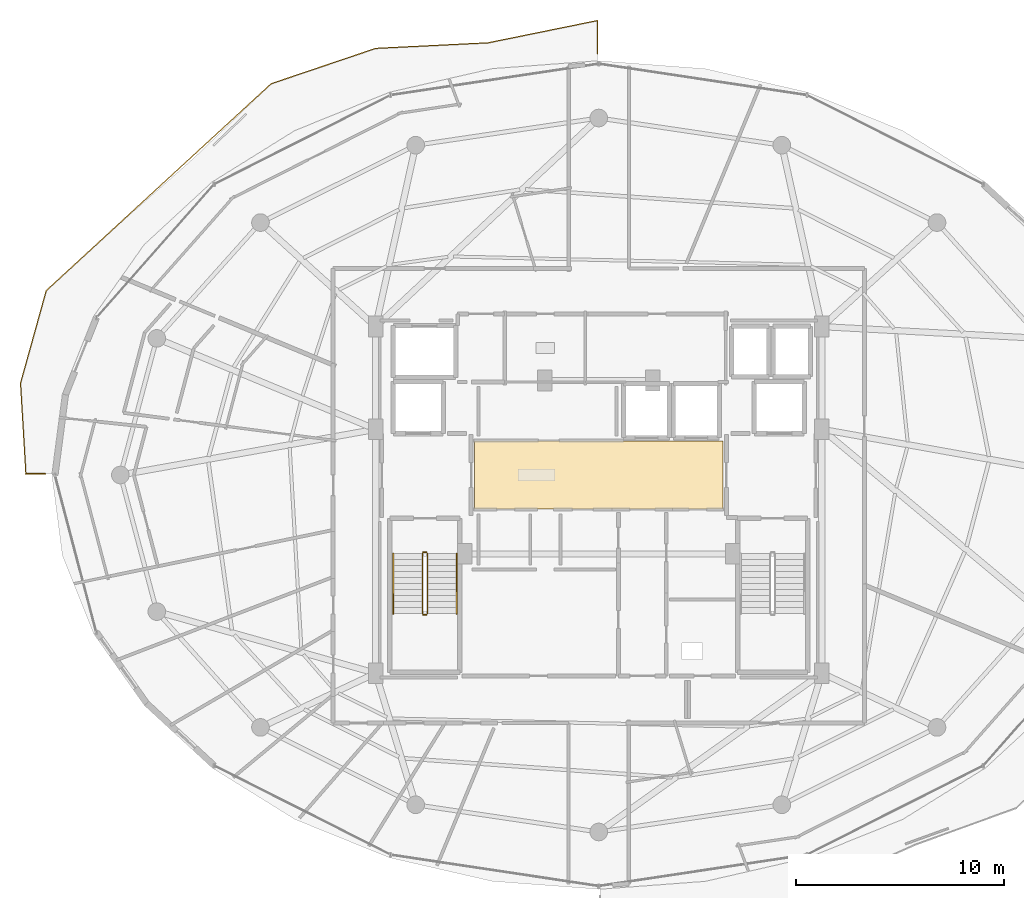
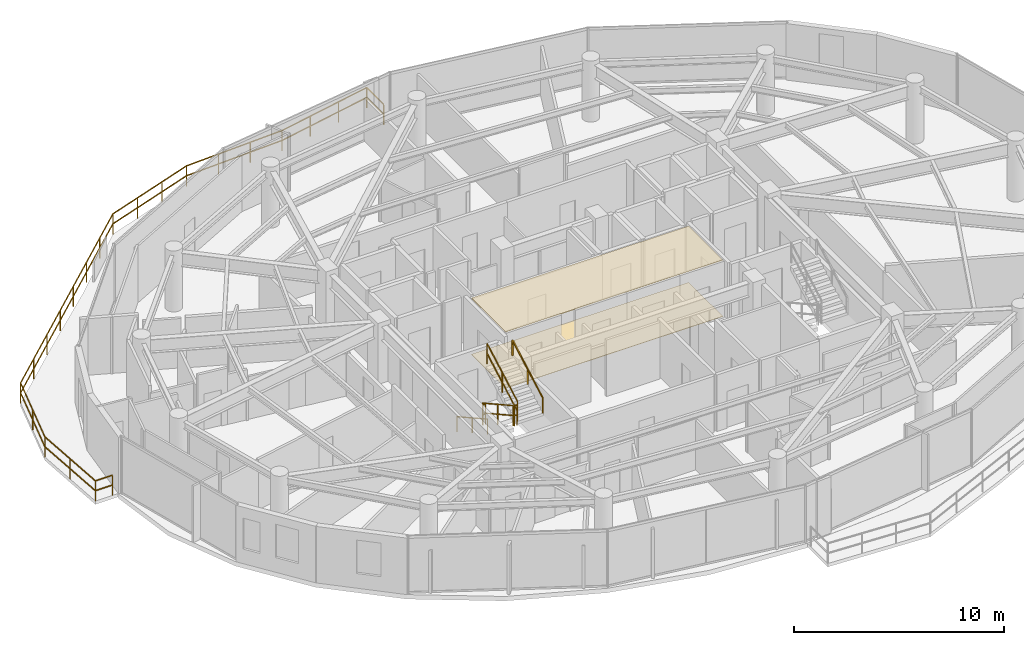
# One storey, part 27 of 30: 8 railings, 2 coverings.
"""IFC4 building model written with IfcOpenShell, lengths in metres."""

from ifc_helpers import new_model, si_unit, direction, frame, origin, origin_2d, place, context, subcontext, project, spatial, polyline, rectangle, outline, extrude, material, layer, layer_set, type_object, element, save


model = new_model("IFC4")

# Units and contexts
model_context = context("Model", 3, precision=1e-05, world=origin(), true_north=direction((0.0, 1.0)))
body_context = subcontext(model_context, "Body", "Model", "MODEL_VIEW")
ifc_project = project(units=[si_unit("LENGTHUNIT", "METRE"), si_unit("AREAUNIT", "SQUARE_METRE"), si_unit("VOLUMEUNIT", "CUBIC_METRE"), si_unit("PLANEANGLEUNIT", "RADIAN"), si_unit("MASSUNIT", "GRAM", prefix="KILO")], contexts=[model_context])

# Site, building, storey
site_placement = place(None, origin())
site = spatial("IfcSite", under=ifc_project, at=site_placement, CompositionType="ELEMENT")
building_placement = place(site_placement, origin())
building = spatial("IfcBuilding", under=site, at=building_placement, Name="Vorneva Point Tower", CompositionType="ELEMENT")
storey_placement = place(building_placement, frame((0.0, 0.0, 237.800048828125)))
storey = spatial("IfcBuildingStorey", under=building, at=storey_placement, Name="L64", CompositionType="ELEMENT", Elevation=237.800048828125)

# Coverings
ifc_material_1 = material(Name="Perforated acoustic aluminium baffle ceiling", Category="aluminium")
ifc_layer_1 = layer(ifc_material_1, 0.030029296875)
ifc_layer_set_1 = layer_set([ifc_layer_1], Name="Perforated acoustic aluminium baffle ceiling")
covering_type_1 = type_object("IfcCoveringType", Name="COV-CEIL-BAF", PredefinedType="CEILING", material=ifc_layer_set_1)
covering_1_placement = place(storey_placement, frame((0.0, 0.0, 3.260009765625)))
element("IfcCovering", 1, at=covering_1_placement, inside=storey, type_object=covering_type_1, Name="L64 Lift Lobby Acoustic Baffle Ceiling", PredefinedType="CEILING", context=body_context, shape_type="SweptSolid", body=[
    extrude(outline(polyline([(32.02001953125, 24.3701171875), (43.97998046875, 24.3701171875), (43.97998046875, 27.6298828125), (32.02001953125, 27.6298828125), (32.02001953125, 24.3701171875)])), origin(), (0.0, 0.0, 1.0), 0.034912109375),
])
ifc_material_2 = material(Name="Acoustic wool hospitality carpet", Category="textile")
ifc_layer_2 = layer(ifc_material_2, 0.01806640625)
ifc_layer_set_2 = layer_set([ifc_layer_2], Name="Acoustic wool hospitality carpet")
covering_type_2 = type_object("IfcCoveringType", Name="COV-FLR-CRP", PredefinedType="FLOORING", material=ifc_layer_set_2)
covering_2_placement = place(storey_placement, frame((0.0, 0.0, -0.005126953125)))
element("IfcCovering", 2, at=covering_2_placement, inside=storey, type_object=covering_type_2, Name="L64 Lift Lobby Floor Finish", PredefinedType="FLOORING", context=body_context, shape_type="SweptSolid", body=[
    extrude(outline(polyline([(32.02001953125, 24.3701171875), (43.97998046875, 24.3701171875), (43.97998046875, 27.6298828125), (32.02001953125, 27.6298828125), (32.02001953125, 24.3701171875)])), origin(), (0.0, 0.0, 1.0), 0.023193359375),
])

# Railings
ifc_material_3 = material(Name="Pale anodised aluminium", Category="aluminium")
railing_type_1 = type_object("IfcRailingType", Name="RL-BAL-1200", PredefinedType="BALUSTRADE", material=ifc_material_3)
railing_1_placement = place(storey_placement, frame((10.39697265625, 26.050048828125, 0.0)))
element("IfcRailing", 3, at=railing_1_placement, inside=storey, type_object=railing_type_1, Name="L64 Wave Balcony Balustrade NW.1", PredefinedType="BALUSTRADE", context=body_context, shape_type="SweptSolid", body=[
    extrude(rectangle(XDim=0.048095703125, YDim=0.048095703125, at=origin_2d()), frame((0.0, 0.0, 1.17578125), z_axis=(1.0, 0.0, 0.0), x_axis=(0.0, 1.0, 0.0)), (0.0, 0.0, 1.0), 0.936767578125),
    extrude(rectangle(XDim=0.048095703125, YDim=0.048095703125, at=origin_2d()), frame((0.0, 0.0, 0.60009765625), z_axis=(1.0, 0.0, 0.0), x_axis=(0.0, 1.0, 0.0)), (0.0, 0.0, 1.0), 0.936767578125),
    extrude(rectangle(XDim=0.0419921875, YDim=0.0419921875, at=origin_2d()), origin(), (0.0, 0.0, 1.0), 1.15185546875),
    extrude(rectangle(XDim=0.0419921875, YDim=0.0419921875, at=origin_2d()), frame((0.936767578125, 0.0, 0.0)), (0.0, 0.0, 1.0), 1.15185546875),
])
railing_2_placement = place(storey_placement, frame((37.949951171875, 46.277099609375, 0.0)))
element("IfcRailing", 4, at=railing_2_placement, inside=storey, type_object=railing_type_1, Name="L64 Wave Balcony Balustrade NW.2", PredefinedType="BALUSTRADE", context=body_context, shape_type="SweptSolid", body=[
    extrude(rectangle(XDim=0.048095703125, YDim=0.048095703125, at=origin_2d()), frame((0.0, 0.0, 1.17578125), z_axis=(0.0, 1.0, 0.0), x_axis=(-1.0, 0.0, 0.0)), (0.0, 0.0, 1.0), 1.622802734375),
    extrude(rectangle(XDim=0.048095703125, YDim=0.048095703125, at=origin_2d()), frame((0.0, 0.0, 0.60009765625), z_axis=(0.0, 1.0, 0.0), x_axis=(-1.0, 0.0, 0.0)), (0.0, 0.0, 1.0), 1.622802734375),
    extrude(rectangle(XDim=0.048095703125, YDim=0.048095703125, at=origin_2d()), frame((0.0, 1.622802734375, 1.17578125), z_axis=(-0.979916253613, -0.199409467944, 0.0), x_axis=(0.199409467944, -0.979916253613, 0.0)), (0.0, 0.0, 1.0), 5.386962890625),
    extrude(rectangle(XDim=0.048095703125, YDim=0.048095703125, at=origin_2d()), frame((0.0, 1.622802734375, 0.60009765625), z_axis=(-0.979916253613, -0.199409467944, 0.0), x_axis=(0.199409467944, -0.979916253613, 0.0)), (0.0, 0.0, 1.0), 5.386962890625),
    extrude(rectangle(XDim=0.048095703125, YDim=0.048095703125, at=origin_2d()), frame((-5.27880859375, 0.548583984375, 1.17578125), z_axis=(-0.998772010445, -0.049542619549, 0.0), x_axis=(0.049542619549, -0.998772010445, 0.0)), (0.0, 0.0, 1.0), 5.425537109375),
    extrude(rectangle(XDim=0.048095703125, YDim=0.048095703125, at=origin_2d()), frame((-5.27880859375, 0.548583984375, 0.60009765625), z_axis=(-0.998772010445, -0.049542619549, 0.0), x_axis=(0.049542619549, -0.998772010445, 0.0)), (0.0, 0.0, 1.0), 5.425537109375),
    extrude(rectangle(XDim=0.048095703125, YDim=0.048095703125, at=origin_2d()), frame((-10.69775390625, 0.27978515625, 1.17578125), z_axis=(-0.947356664251, -0.320180184737, 0.0), x_axis=(0.320180184737, -0.947356664251, 0.0)), (0.0, 0.0, 1.0), 5.314697265625),
    extrude(rectangle(XDim=0.048095703125, YDim=0.048095703125, at=origin_2d()), frame((-10.69775390625, 0.27978515625, 0.60009765625), z_axis=(-0.947356664251, -0.320180184737, 0.0), x_axis=(0.320180184737, -0.947356664251, 0.0)), (0.0, 0.0, 1.0), 5.314697265625),
    extrude(rectangle(XDim=0.048095703125, YDim=0.048095703125, at=origin_2d()), frame((-15.732666015625, -1.421875, 1.17578125), z_axis=(-0.735988825116, -0.676993684833, 0.0), x_axis=(0.676993684833, -0.735988825116, 0.0)), (0.0, 0.0, 1.0), 14.728271484375),
    extrude(rectangle(XDim=0.048095703125, YDim=0.048095703125, at=origin_2d()), frame((-15.732666015625, -1.421875, 0.60009765625), z_axis=(-0.735988825116, -0.676993684833, 0.0), x_axis=(0.676993684833, -0.735988825116, 0.0)), (0.0, 0.0, 1.0), 14.728271484375),
    extrude(rectangle(XDim=0.048095703125, YDim=0.048095703125, at=origin_2d()), frame((-26.572509765625, -11.392822265625, 1.17578125), z_axis=(-0.267706425434, -0.963500529207, 0.0), x_axis=(0.963500529207, -0.267706425434, 0.0)), (0.0, 0.0, 1.0), 4.629150390625),
    extrude(rectangle(XDim=0.048095703125, YDim=0.048095703125, at=origin_2d()), frame((-26.572509765625, -11.392822265625, 0.60009765625), z_axis=(-0.267706425434, -0.963500529207, 0.0), x_axis=(0.963500529207, -0.267706425434, 0.0)), (0.0, 0.0, 1.0), 4.629150390625),
    extrude(rectangle(XDim=0.048095703125, YDim=0.048095703125, at=origin_2d()), frame((-27.811767578125, -15.85302734375, 1.17578125), z_axis=(0.059061709843, -0.998254333539, 0.0), x_axis=(0.998254333539, 0.059061709843, 0.0)), (0.0, 0.0, 1.0), 4.381591796875),
    extrude(rectangle(XDim=0.048095703125, YDim=0.048095703125, at=origin_2d()), frame((-27.811767578125, -15.85302734375, 0.60009765625), z_axis=(0.059061709843, -0.998254333539, 0.0), x_axis=(0.998254333539, 0.059061709843, 0.0)), (0.0, 0.0, 1.0), 4.381591796875),
    extrude(rectangle(XDim=0.0419921875, YDim=0.0419921875, at=origin_2d()), origin(), (0.0, 0.0, 1.0), 1.15185546875),
    extrude(rectangle(XDim=0.0419921875, YDim=0.0419921875, at=origin_2d()), frame((0.0, 1.622802734375, 0.0)), (0.0, 0.0, 1.0), 1.15185546875),
    extrude(rectangle(XDim=0.0419921875, YDim=0.0419921875, at=origin_2d()), frame((-1.759521484375, 1.2646484375, 0.0)), (0.0, 0.0, 1.0), 1.15185546875),
    extrude(rectangle(XDim=0.0419921875, YDim=0.0419921875, at=origin_2d()), frame((-3.519287109375, 0.90673828125, 0.0)), (0.0, 0.0, 1.0), 1.15185546875),
    extrude(rectangle(XDim=0.0419921875, YDim=0.0419921875, at=origin_2d()), frame((-5.27880859375, 0.548583984375, 0.0)), (0.0, 0.0, 1.0), 1.15185546875),
    extrude(rectangle(XDim=0.0419921875, YDim=0.0419921875, at=origin_2d()), frame((-7.085205078125, 0.458984375, 0.0)), (0.0, 0.0, 1.0), 1.15185546875),
    extrude(rectangle(XDim=0.0419921875, YDim=0.0419921875, at=origin_2d()), frame((-8.891357421875, 0.369384765625, 0.0)), (0.0, 0.0, 1.0), 1.15185546875),
    extrude(rectangle(XDim=0.0419921875, YDim=0.0419921875, at=origin_2d()), frame((-10.69775390625, 0.27978515625, 0.0)), (0.0, 0.0, 1.0), 1.15185546875),
    extrude(rectangle(XDim=0.0419921875, YDim=0.0419921875, at=origin_2d()), frame((-12.3759765625, -0.287353515625, 0.0)), (0.0, 0.0, 1.0), 1.15185546875),
    extrude(rectangle(XDim=0.0419921875, YDim=0.0419921875, at=origin_2d()), frame((-14.054443359375, -0.854736328125, 0.0)), (0.0, 0.0, 1.0), 1.15185546875),
    extrude(rectangle(XDim=0.0419921875, YDim=0.0419921875, at=origin_2d()), frame((-15.732666015625, -1.421875, 0.0)), (0.0, 0.0, 1.0), 1.15185546875),
    extrude(rectangle(XDim=0.0419921875, YDim=0.0419921875, at=origin_2d()), frame((-17.28125, -2.84619140625, 0.0)), (0.0, 0.0, 1.0), 1.15185546875),
    extrude(rectangle(XDim=0.0419921875, YDim=0.0419921875, at=origin_2d()), frame((-18.829833984375, -4.270751953125, 0.0)), (0.0, 0.0, 1.0), 1.15185546875),
    extrude(rectangle(XDim=0.0419921875, YDim=0.0419921875, at=origin_2d()), frame((-20.37841796875, -5.695068359375, 0.0)), (0.0, 0.0, 1.0), 1.15185546875),
    extrude(rectangle(XDim=0.0419921875, YDim=0.0419921875, at=origin_2d()), frame((-21.9267578125, -7.11962890625, 0.0)), (0.0, 0.0, 1.0), 1.15185546875),
    extrude(rectangle(XDim=0.0419921875, YDim=0.0419921875, at=origin_2d()), frame((-23.475341796875, -8.5439453125, 0.0)), (0.0, 0.0, 1.0), 1.15185546875),
    extrude(rectangle(XDim=0.0419921875, YDim=0.0419921875, at=origin_2d()), frame((-25.02392578125, -9.968505859375, 0.0)), (0.0, 0.0, 1.0), 1.15185546875),
    extrude(rectangle(XDim=0.0419921875, YDim=0.0419921875, at=origin_2d()), frame((-26.572509765625, -11.392822265625, 0.0)), (0.0, 0.0, 1.0), 1.15185546875),
    extrude(rectangle(XDim=0.0419921875, YDim=0.0419921875, at=origin_2d()), frame((-27.192138671875, -13.623046875, 0.0)), (0.0, 0.0, 1.0), 1.15185546875),
    extrude(rectangle(XDim=0.0419921875, YDim=0.0419921875, at=origin_2d()), frame((-27.811767578125, -15.85302734375, 0.0)), (0.0, 0.0, 1.0), 1.15185546875),
    extrude(rectangle(XDim=0.0419921875, YDim=0.0419921875, at=origin_2d()), frame((-27.682373046875, -18.0400390625, 0.0)), (0.0, 0.0, 1.0), 1.15185546875),
    extrude(rectangle(XDim=0.0419921875, YDim=0.0419921875, at=origin_2d()), frame((-27.552978515625, -20.22705078125, 0.0)), (0.0, 0.0, 1.0), 1.15185546875),
])
ifc_material_4 = material(Name="Brushed stainless steel S304", Category="steel")
railing_type_2 = type_object("IfcRailingType", Name="RL-HND-920", PredefinedType="HANDRAIL", material=ifc_material_4)
railing_3_placement = place(storey_placement, frame((28.10009765625, 22.219970703125, 0.161376953125)))
element("IfcRailing", 5, at=railing_3_placement, inside=storey, type_object=railing_type_2, Name="L64 ST1 stair handrail 1", PredefinedType="HANDRAIL", context=body_context, shape_type="SweptSolid", body=[
    extrude(rectangle(XDim=0.048095703125, YDim=0.048095703125, at=origin_2d()), frame((0.0, 0.0, 0.8759765625), z_axis=(0.0, -0.873841303929, 0.486211245805), x_axis=(1.0, 0.0, 0.0)), (0.0, 0.0, 1.0), 3.318603515625),
    extrude(rectangle(XDim=0.0419921875, YDim=0.0419921875, at=origin_2d()), origin(), (0.0, 0.0, 1.0), 0.851806640625),
    extrude(rectangle(XDim=0.0419921875, YDim=0.0419921875, at=origin_2d()), frame((0.0, -1.449951171875, 0.806640625)), (0.0, 0.0, 1.0), 0.851806640625),
    extrude(rectangle(XDim=0.0419921875, YDim=0.0419921875, at=origin_2d()), frame((0.0, -2.89990234375, 1.613525390625)), (0.0, 0.0, 1.0), 0.851806640625),
])
railing_4_placement = place(storey_placement, frame((31.14990234375, 19.320068359375, 1.936279296875)))
element("IfcRailing", 6, at=railing_4_placement, inside=storey, type_object=railing_type_2, Name="L64 ST1 stair handrail 2", PredefinedType="HANDRAIL", context=body_context, shape_type="SweptSolid", body=[
    extrude(rectangle(XDim=0.048095703125, YDim=0.048095703125, at=origin_2d()), frame((0.0, 0.0, 0.8759765625), z_axis=(0.0, 0.873810046276, 0.486267419253), x_axis=(-1.0, 0.0, 0.0)), (0.0, 0.0, 1.0), 3.318603515625),
    extrude(rectangle(XDim=0.0419921875, YDim=0.0419921875, at=origin_2d()), origin(), (0.0, 0.0, 1.0), 0.851806640625),
    extrude(rectangle(XDim=0.0419921875, YDim=0.0419921875, at=origin_2d()), frame((0.0, 1.449951171875, 0.806884765625)), (0.0, 0.0, 1.0), 0.851806640625),
    extrude(rectangle(XDim=0.0419921875, YDim=0.0419921875, at=origin_2d()), frame((0.0, 2.89990234375, 1.61376953125)), (0.0, 0.0, 1.0), 0.851806640625),
])
railing_type_3 = type_object("IfcRailingType", Name="RL-STG-1100", PredefinedType="GUARDRAIL", material=ifc_material_4)
railing_5_placement = place(storey_placement, frame((29.5, 22.219970703125, 0.161376953125)))
element("IfcRailing", 7, at=railing_5_placement, inside=storey, type_object=railing_type_3, Name="L64 ST1 stair guard 1", PredefinedType="GUARDRAIL", context=body_context, shape_type="SweptSolid", body=[
    extrude(rectangle(XDim=0.048095703125, YDim=0.048095703125, at=origin_2d()), frame((0.0, 0.0, 1.17578125), z_axis=(0.0, -0.873841303929, 0.486211245805), x_axis=(1.0, 0.0, 0.0)), (0.0, 0.0, 1.0), 3.318603515625),
    extrude(rectangle(XDim=0.048095703125, YDim=0.048095703125, at=origin_2d()), frame((0.0, 0.0, 0.60009765625), z_axis=(0.0, -0.873841303929, 0.486211245805), x_axis=(1.0, 0.0, 0.0)), (0.0, 0.0, 1.0), 3.318603515625),
    extrude(rectangle(XDim=0.0419921875, YDim=0.0419921875, at=origin_2d()), origin(), (0.0, 0.0, 1.0), 1.15185546875),
    extrude(rectangle(XDim=0.0419921875, YDim=0.0419921875, at=origin_2d()), frame((0.0, -1.449951171875, 0.806640625)), (0.0, 0.0, 1.0), 1.15185546875),
    extrude(rectangle(XDim=0.0419921875, YDim=0.0419921875, at=origin_2d()), frame((0.0, -2.89990234375, 1.613525390625)), (0.0, 0.0, 1.0), 1.15185546875),
])
railing_6_placement = place(storey_placement, frame((29.550048828125, 19.27001953125, 1.77490234375)))
element("IfcRailing", 8, at=railing_6_placement, inside=storey, type_object=railing_type_3, Name="L64 ST1 stair guard 2", PredefinedType="GUARDRAIL", context=body_context, shape_type="SweptSolid", body=[
    extrude(rectangle(XDim=0.048095703125, YDim=0.048095703125, at=origin_2d()), frame((0.0, 0.0, 1.17578125), z_axis=(1.0, 0.0, 0.0), x_axis=(0.0, 1.0, 0.0)), (0.0, 0.0, 1.0), 0.14990234375),
    extrude(rectangle(XDim=0.048095703125, YDim=0.048095703125, at=origin_2d()), frame((0.0, 0.0, 0.60009765625), z_axis=(1.0, 0.0, 0.0), x_axis=(0.0, 1.0, 0.0)), (0.0, 0.0, 1.0), 0.14990234375),
    extrude(rectangle(XDim=0.0419921875, YDim=0.0419921875, at=origin_2d()), origin(), (0.0, 0.0, 1.0), 1.15185546875),
    extrude(rectangle(XDim=0.0419921875, YDim=0.0419921875, at=origin_2d()), frame((0.14990234375, 0.0, 0.0)), (0.0, 0.0, 1.0), 1.15185546875),
])
railing_7_placement = place(storey_placement, frame((29.75, 19.320068359375, 1.936279296875)))
element("IfcRailing", 9, at=railing_7_placement, inside=storey, type_object=railing_type_3, Name="L64 ST1 stair guard 3", PredefinedType="GUARDRAIL", context=body_context, shape_type="SweptSolid", body=[
    extrude(rectangle(XDim=0.048095703125, YDim=0.048095703125, at=origin_2d()), frame((0.0, 0.0, 1.17578125), z_axis=(0.0, 0.873810046276, 0.486267419253), x_axis=(-1.0, 0.0, 0.0)), (0.0, 0.0, 1.0), 3.318603515625),
    extrude(rectangle(XDim=0.048095703125, YDim=0.048095703125, at=origin_2d()), frame((0.0, 0.0, 0.60009765625), z_axis=(0.0, 0.873810046276, 0.486267419253), x_axis=(-1.0, 0.0, 0.0)), (0.0, 0.0, 1.0), 3.318603515625),
    extrude(rectangle(XDim=0.0419921875, YDim=0.0419921875, at=origin_2d()), origin(), (0.0, 0.0, 1.0), 1.15185546875),
    extrude(rectangle(XDim=0.0419921875, YDim=0.0419921875, at=origin_2d()), frame((0.0, 1.449951171875, 0.806884765625)), (0.0, 0.0, 1.0), 1.15185546875),
    extrude(rectangle(XDim=0.0419921875, YDim=0.0419921875, at=origin_2d()), frame((0.0, 2.89990234375, 1.61376953125)), (0.0, 0.0, 1.0), 1.15185546875),
])
railing_8_placement = place(storey_placement, frame((29.550048828125, 22.27001953125, 0.0)))
element("IfcRailing", 10, at=railing_8_placement, inside=storey, type_object=railing_type_3, Name="L64 ST1 stair guard 4", PredefinedType="GUARDRAIL", context=body_context, shape_type="SweptSolid", body=[
    extrude(rectangle(XDim=0.048095703125, YDim=0.048095703125, at=origin_2d()), frame((0.0, 0.0, 1.17578125), z_axis=(1.0, 0.0, 0.0), x_axis=(0.0, 1.0, 0.0)), (0.0, 0.0, 1.0), 0.14990234375),
    extrude(rectangle(XDim=0.048095703125, YDim=0.048095703125, at=origin_2d()), frame((0.0, 0.0, 0.60009765625), z_axis=(1.0, 0.0, 0.0), x_axis=(0.0, 1.0, 0.0)), (0.0, 0.0, 1.0), 0.14990234375),
    extrude(rectangle(XDim=0.0419921875, YDim=0.0419921875, at=origin_2d()), origin(), (0.0, 0.0, 1.0), 1.15185546875),
    extrude(rectangle(XDim=0.0419921875, YDim=0.0419921875, at=origin_2d()), frame((0.14990234375, 0.0, 0.0)), (0.0, 0.0, 1.0), 1.15185546875),
])

save(model, "model.ifc")
